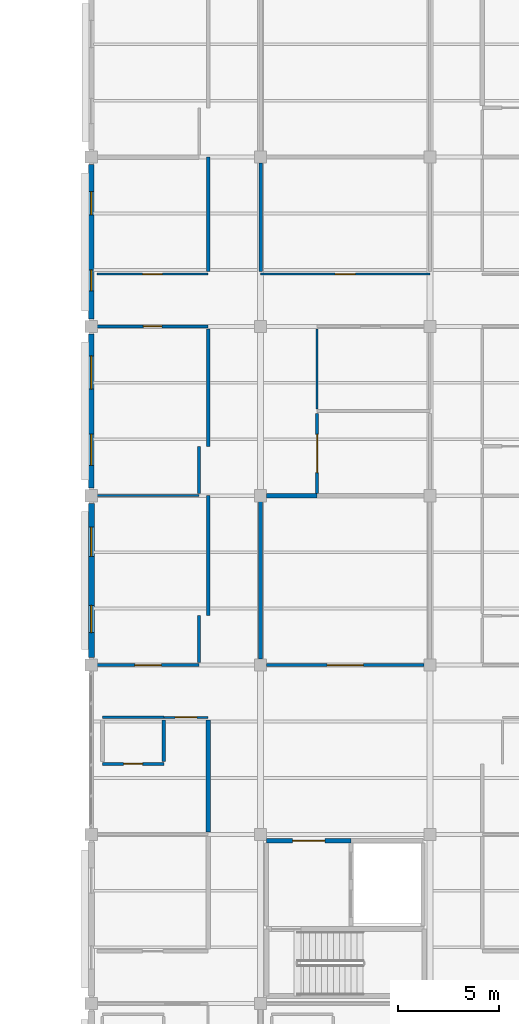
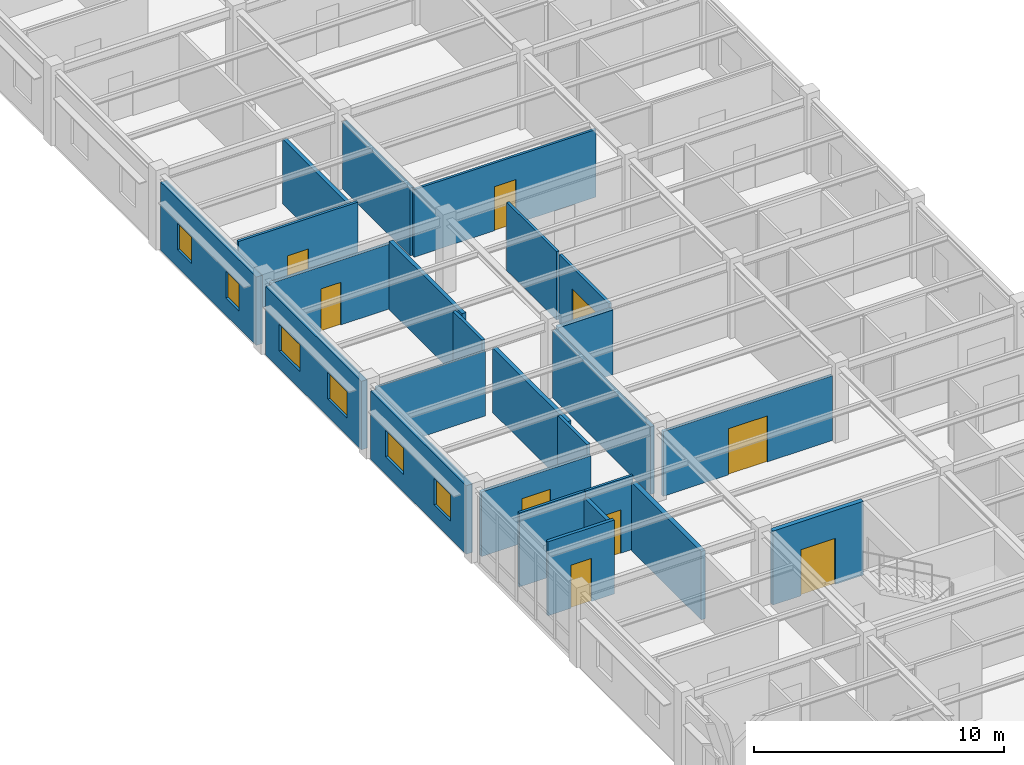
# One storey, part 44 of 70: 25 walls, 9 doors, 6 windows, 15 openings.
"""IFC4 building model written with IfcOpenShell, lengths in metres."""

from ifc_helpers import new_model, si_unit, direction, frame, frame_2d, origin, place, context, subcontext, project, spatial, rectangle, extrude, material, layer, layer_set, type_object, element, fill, save


model = new_model("IFC4")

# Units and contexts
model_context = context("Model", 3, precision=1e-05, world=origin(), true_north=direction((0.0, 1.0)))
body_context = subcontext(model_context, "Body", "Model", "MODEL_VIEW")
ifc_project = project(units=[si_unit("LENGTHUNIT", "METRE"), si_unit("AREAUNIT", "SQUARE_METRE"), si_unit("VOLUMEUNIT", "CUBIC_METRE"), si_unit("PLANEANGLEUNIT", "RADIAN"), si_unit("MASSUNIT", "GRAM", prefix="KILO")], contexts=[model_context])

# Site, building, storey
site_placement = place(None, origin())
site = spatial("IfcSite", under=ifc_project, at=site_placement, CompositionType="ELEMENT")
building_placement = place(site_placement, origin())
building = spatial("IfcBuilding", under=site, at=building_placement, Name="Bramfleet General Hospital", CompositionType="ELEMENT")
storey_placement = place(building_placement, frame((0.0, 0.0, 22.5)))
storey = spatial("IfcBuildingStorey", under=building, at=storey_placement, Name="L05", CompositionType="ELEMENT", Elevation=22.5)

# Wall, openings, windows
ifc_material_1 = material(Name="Precast concrete C40/50", Category="concrete")
ifc_layer_1 = layer(ifc_material_1, 0.294921875, Name="WT-EW-05")
ifc_layer_set_1 = layer_set([ifc_layer_1], Name="Precast concrete C40/50")
wall_type_1 = type_object("IfcWallType", Name="WT-EW-05", PredefinedType="SOLIDWALL", material=ifc_layer_set_1)
wall_1_placement = place(storey_placement, frame((92.39990234375, 25.574951171875, 0.0), z_axis=(0.0, 0.0, 1.0), x_axis=(0.0, 1.0, 0.0)))
wall_1 = element("IfcWall", 1, at=wall_1_placement, inside=storey, type_object=wall_type_1, Name="L05 Exterior Wall 381", PredefinedType="SOLIDWALL", context=body_context, shape_type="SweptSolid", body=[
    extrude(rectangle(XDim=7.650146484375, YDim=0.294921875, at=frame_2d((3.8251953125, 0.0))), origin(), (0.0, 0.0, 1.0), 3.340087890625),
])
opening_1_placement = place(wall_1_placement, frame((1.237548828125, 0.0, 0.85009765625)))
opening_1 = element("IfcOpeningElement", 2, at=opening_1_placement, cuts=wall_1, Name="Opening W-05", PredefinedType="OPENING", context=body_context, shape_type="SweptSolid", body=[
    extrude(rectangle(XDim=1.35009765625, YDim=1.300048828125, at=frame_2d((0.675048828125, 0.64990234375))), frame((0.0, 0.157470703125, 0.0), z_axis=(0.0, -1.0, 0.0), x_axis=(1.0, 0.0, 0.0)), (0.0, 0.0, 1.0), 0.31494140625),
])
opening_2_placement = place(wall_1_placement, frame((5.012451171875, 0.0, 0.85009765625)))
opening_2 = element("IfcOpeningElement", 3, at=opening_2_placement, cuts=wall_1, Name="Opening W-06", PredefinedType="OPENING", context=body_context, shape_type="SweptSolid", body=[
    extrude(rectangle(XDim=1.449951171875, YDim=1.300048828125, at=frame_2d((0.72509765625, 0.64990234375))), frame((0.0, 0.157470703125, 0.0), z_axis=(0.0, -1.0, 0.0), x_axis=(1.0, 0.0, 0.0)), (0.0, 0.0, 1.0), 0.31494140625),
])
ifc_material_2 = material(Name="Anodised aluminium and low-E triple glazing", Category="aluminium")
window_type_1 = type_object("IfcWindowType", Name="WIN-W-05", PartitioningType="SINGLE_PANEL", PredefinedType="WINDOW", material=ifc_material_2)
window_1_placement = place(opening_1_placement, origin())
window_1 = element("IfcWindow", 4, at=window_1_placement, inside=storey, type_object=window_type_1, Name="L05 Facade Window WIN-L05-381-1", OverallHeight=1.300048828125, OverallWidth=1.35009765625, PartitioningType="SINGLE_PANEL", PredefinedType="WINDOW", context=body_context, shape_type="SweptSolid", body=[
    extrude(rectangle(XDim=1.35009765625, YDim=1.300048828125, at=frame_2d((0.675048828125, 0.64990234375))), frame((0.0, 0.030029296875, 0.0), z_axis=(0.0, -1.0, 0.0), x_axis=(1.0, 0.0, 0.0)), (0.0, 0.0, 1.0), 0.06005859375),
])
fill(opening_1, window_1)
window_type_2 = type_object("IfcWindowType", Name="WIN-W-06", PartitioningType="SINGLE_PANEL", PredefinedType="WINDOW", material=ifc_material_2)
window_2_placement = place(opening_2_placement, origin())
window_2 = element("IfcWindow", 5, at=window_2_placement, inside=storey, type_object=window_type_2, Name="L05 Facade Window WIN-L05-381-2", OverallHeight=1.300048828125, OverallWidth=1.449951171875, PartitioningType="SINGLE_PANEL", PredefinedType="WINDOW", context=body_context, shape_type="SweptSolid", body=[
    extrude(rectangle(XDim=1.449951171875, YDim=1.300048828125, at=frame_2d((0.72509765625, 0.64990234375))), frame((0.0, 0.030029296875, 0.0), z_axis=(0.0, -1.0, 0.0), x_axis=(1.0, 0.0, 0.0)), (0.0, 0.0, 1.0), 0.06005859375),
])
fill(opening_2, window_2)

ifc_layer_2 = layer(ifc_material_1, 0.280029296875, Name="WT-EW-06")
ifc_layer_set_2 = layer_set([ifc_layer_2], Name="Precast concrete C40/50")
wall_type_2 = type_object("IfcWallType", Name="WT-EW-06", PredefinedType="SOLIDWALL", material=ifc_layer_set_2)
wall_2_placement = place(storey_placement, frame((92.39990234375, 42.375, 0.0), z_axis=(0.0, 0.0, 1.0), x_axis=(0.0, 1.0, 0.0)))
wall_2 = element("IfcWall", 6, at=wall_2_placement, inside=storey, type_object=wall_type_2, Name="L05 Exterior Wall 333", PredefinedType="SOLIDWALL", context=body_context, shape_type="SweptSolid", body=[
    extrude(rectangle(XDim=7.64990234375, YDim=0.280029296875, at=frame_2d((3.824951171875, 0.0))), origin(), (0.0, 0.0, 1.0), 3.340087890625),
])
opening_3_placement = place(wall_2_placement, frame((1.387451171875, 0.0, 0.85009765625)))
opening_3 = element("IfcOpeningElement", 7, at=opening_3_placement, cuts=wall_2, Name="Opening W-02", PredefinedType="OPENING", context=body_context, shape_type="SweptSolid", body=[
    extrude(rectangle(XDim=1.050048828125, YDim=1.300048828125, at=frame_2d((0.52490234375, 0.64990234375))), frame((0.0, 0.14990234375, 0.0), z_axis=(0.0, -1.0, 0.0), x_axis=(1.0, 0.0, 0.0)), (0.0, 0.0, 1.0), 0.300048828125),
])
opening_4_placement = place(wall_2_placement, frame((5.16259765625, 0.0, 0.85009765625)))
opening_4 = element("IfcOpeningElement", 8, at=opening_4_placement, cuts=wall_2, Name="Opening W-03", PredefinedType="OPENING", context=body_context, shape_type="SweptSolid", body=[
    extrude(rectangle(XDim=1.14990234375, YDim=1.300048828125, at=frame_2d((0.574951171875, 0.64990234375))), frame((0.0, 0.14990234375, 0.0), z_axis=(0.0, -1.0, 0.0), x_axis=(1.0, 0.0, 0.0)), (0.0, 0.0, 1.0), 0.300048828125),
])
window_type_3 = type_object("IfcWindowType", Name="WIN-W-02", PartitioningType="SINGLE_PANEL", PredefinedType="WINDOW", material=ifc_material_2)
window_3_placement = place(opening_3_placement, origin())
window_3 = element("IfcWindow", 9, at=window_3_placement, inside=storey, type_object=window_type_3, Name="L05 Facade Window WIN-L05-333-1", OverallHeight=1.300048828125, OverallWidth=1.050048828125, PartitioningType="SINGLE_PANEL", PredefinedType="WINDOW", context=body_context, shape_type="SweptSolid", body=[
    extrude(rectangle(XDim=1.050048828125, YDim=1.300048828125, at=frame_2d((0.52490234375, 0.64990234375))), frame((0.0, 0.030029296875, 0.0), z_axis=(0.0, -1.0, 0.0), x_axis=(1.0, 0.0, 0.0)), (0.0, 0.0, 1.0), 0.06005859375),
])
fill(opening_3, window_3)
window_type_4 = type_object("IfcWindowType", Name="WIN-W-03", PartitioningType="SINGLE_PANEL", PredefinedType="WINDOW", material=ifc_material_2)
window_4_placement = place(opening_4_placement, origin())
window_4 = element("IfcWindow", 10, at=window_4_placement, inside=storey, type_object=window_type_4, Name="L05 Facade Window WIN-L05-333-2", OverallHeight=1.300048828125, OverallWidth=1.14990234375, PartitioningType="SINGLE_PANEL", PredefinedType="WINDOW", context=body_context, shape_type="SweptSolid", body=[
    extrude(rectangle(XDim=1.14990234375, YDim=1.300048828125, at=frame_2d((0.574951171875, 0.64990234375))), frame((0.0, 0.030029296875, 0.0), z_axis=(0.0, -1.0, 0.0), x_axis=(1.0, 0.0, 0.0)), (0.0, 0.0, 1.0), 0.06005859375),
])
fill(opening_4, window_4)

wall_3_placement = place(storey_placement, frame((92.39990234375, 33.97509765625, 0.0), z_axis=(0.0, 0.0, 1.0), x_axis=(0.0, 1.0, 0.0)))
wall_3 = element("IfcWall", 11, at=wall_3_placement, inside=storey, type_object=wall_type_2, Name="L05 Exterior Wall 382", PredefinedType="SOLIDWALL", context=body_context, shape_type="SweptSolid", body=[
    extrude(rectangle(XDim=7.64990234375, YDim=0.280029296875, at=frame_2d((3.824951171875, 0.0))), origin(), (0.0, 0.0, 1.0), 3.340087890625),
])
opening_5_placement = place(wall_3_placement, frame((1.137451171875, 0.0, 0.85009765625)))
opening_5 = element("IfcOpeningElement", 12, at=opening_5_placement, cuts=wall_3, Name="Opening W-07", PredefinedType="OPENING", context=body_context, shape_type="SweptSolid", body=[
    extrude(rectangle(XDim=1.550048828125, YDim=1.300048828125, at=frame_2d((0.77490234375, 0.64990234375))), frame((0.0, 0.14990234375, 0.0), z_axis=(0.0, -1.0, 0.0), x_axis=(1.0, 0.0, 0.0)), (0.0, 0.0, 1.0), 0.300048828125),
])
opening_6_placement = place(wall_3_placement, frame((4.91259765625, 0.0, 0.85009765625)))
opening_6 = element("IfcOpeningElement", 13, at=opening_6_placement, cuts=wall_3, Name="Opening W-08", PredefinedType="OPENING", context=body_context, shape_type="SweptSolid", body=[
    extrude(rectangle(XDim=1.64990234375, YDim=1.300048828125, at=frame_2d((0.824951171875, 0.64990234375))), frame((0.0, 0.14990234375, 0.0), z_axis=(0.0, -1.0, 0.0), x_axis=(1.0, 0.0, 0.0)), (0.0, 0.0, 1.0), 0.300048828125),
])
window_type_5 = type_object("IfcWindowType", Name="WIN-W-07", PartitioningType="SINGLE_PANEL", PredefinedType="WINDOW", material=ifc_material_2)
window_5_placement = place(opening_5_placement, origin())
window_5 = element("IfcWindow", 14, at=window_5_placement, inside=storey, type_object=window_type_5, Name="L05 Facade Window WIN-L05-382-1", OverallHeight=1.300048828125, OverallWidth=1.550048828125, PartitioningType="SINGLE_PANEL", PredefinedType="WINDOW", context=body_context, shape_type="SweptSolid", body=[
    extrude(rectangle(XDim=1.550048828125, YDim=1.300048828125, at=frame_2d((0.77490234375, 0.64990234375))), frame((0.0, 0.030029296875, 0.0), z_axis=(0.0, -1.0, 0.0), x_axis=(1.0, 0.0, 0.0)), (0.0, 0.0, 1.0), 0.06005859375),
])
fill(opening_5, window_5)
window_type_6 = type_object("IfcWindowType", Name="WIN-W-08", PartitioningType="SINGLE_PANEL", PredefinedType="WINDOW", material=ifc_material_2)
window_6_placement = place(opening_6_placement, origin())
window_6 = element("IfcWindow", 15, at=window_6_placement, inside=storey, type_object=window_type_6, Name="L05 Facade Window WIN-L05-382-2", OverallHeight=1.300048828125, OverallWidth=1.64990234375, PartitioningType="SINGLE_PANEL", PredefinedType="WINDOW", context=body_context, shape_type="SweptSolid", body=[
    extrude(rectangle(XDim=1.64990234375, YDim=1.300048828125, at=frame_2d((0.824951171875, 0.64990234375))), frame((0.0, 0.030029296875, 0.0), z_axis=(0.0, -1.0, 0.0), x_axis=(1.0, 0.0, 0.0)), (0.0, 0.0, 1.0), 0.06005859375),
])
fill(opening_6, window_6)

# Wall
ifc_material_3 = material(Name="Concrete C35/45", Category="concrete")
ifc_layer_3 = layer(ifc_material_3, 0.219970703125, Name="WT-IW-01")
ifc_layer_set_3 = layer_set([ifc_layer_3], Name="Concrete C35/45")
wall_type_3 = type_object("IfcWallType", Name="WT-IW-01", PredefinedType="PARTITIONING", material=ifc_layer_set_3)
wall_4_placement = place(storey_placement, frame((101.094970703125, 33.60009765625, 0.0), z_axis=(0.0, 0.0, 1.0), x_axis=(1.0, 0.0, 0.0)))
element("IfcWall", 16, at=wall_4_placement, inside=storey, type_object=wall_type_3, Name="L05 Interior Partition IW-L05-3541", PredefinedType="PARTITIONING", context=body_context, shape_type="SweptSolid", body=[
    extrude(rectangle(XDim=2.505126953125, YDim=0.219970703125, at=frame_2d((1.25244140625, 0.0))), origin(), (0.0, 0.0, 1.0), 3.159912109375),
])

# Wall, opening, door
ifc_layer_4 = layer(ifc_material_3, 0.205078125, Name="WT-IW-02")
ifc_layer_set_4 = layer_set([ifc_layer_4], Name="Concrete C35/45")
wall_type_4 = type_object("IfcWallType", Name="WT-IW-02", PredefinedType="PARTITIONING", material=ifc_layer_set_4)
wall_5_placement = place(storey_placement, frame((101.10009765625, 16.47998046875, 0.0), z_axis=(0.0, 0.0, 1.0), x_axis=(1.0, 0.0, 0.0)))
wall_5 = element("IfcWall", 17, at=wall_5_placement, inside=storey, type_object=wall_type_4, Name="L05 C3 Lobby North Compartment Wall", PredefinedType="PARTITIONING", context=body_context, shape_type="SweptSolid", body=[
    extrude(rectangle(XDim=4.179931640625, YDim=0.205078125, at=frame_2d((2.08984375, 0.0))), origin(), (0.0, 0.0, 1.0), 3.610107421875),
])
opening_7_placement = place(wall_5_placement, frame((1.2900390625, 0.0, 0.0)))
opening_7 = element("IfcOpeningElement", 18, at=opening_7_placement, cuts=wall_5, Name="Opening D0032", PredefinedType="OPENING", context=body_context, shape_type="SweptSolid", body=[
    extrude(rectangle(XDim=1.60009765625, YDim=2.25, at=frame_2d((0.800048828125, 1.125))), frame((0.0, 0.112548828125, 0.0), z_axis=(0.0, -1.0, 0.0), x_axis=(1.0, 0.0, 0.0)), (0.0, 0.0, 1.0), 0.22509765625),
])
ifc_material_4 = material(Name="Stainless steel and acoustic timber leaf", Category="steel")
door_type_1 = type_object("IfcDoorType", Name="DR-D-04", OperationType="NOTDEFINED", PredefinedType="DOOR", material=ifc_material_4)
door_1_placement = place(opening_7_placement, origin())
door_1 = element("IfcDoor", 19, at=door_1_placement, inside=storey, type_object=door_type_1, Name="L05 C3 Lobby Fire Door D0032", OperationType="DOUBLE_SWING_LEFT", OverallHeight=2.25, OverallWidth=1.60009765625, PredefinedType="DOOR", context=body_context, shape_type="SweptSolid", body=[
    extrude(rectangle(XDim=1.60009765625, YDim=2.25, at=frame_2d((0.800048828125, 1.125))), frame((0.0, 0.02490234375, 0.0), z_axis=(0.0, -1.0, 0.0), x_axis=(1.0, 0.0, 0.0)), (0.0, 0.0, 1.0), 0.050048828125),
])
fill(opening_7, door_1)

# Walls
wall_6_placement = place(storey_placement, frame((98.199951171875, 16.9150390625, 0.0), z_axis=(0.0, 0.0, 1.0), x_axis=(0.0, 1.0, 0.0)))
element("IfcWall", 20, at=wall_6_placement, inside=storey, type_object=wall_type_4, Name="L05 Interior Partition IW-L05-3710", PredefinedType="PARTITIONING", context=body_context, shape_type="SweptSolid", body=[
    extrude(rectangle(XDim=5.570068359375, YDim=0.205078125, at=frame_2d((2.78515625, 0.0))), origin(), (0.0, 0.0, 1.0), 3.340087890625),
])
ifc_layer_5 = layer(ifc_material_3, 0.18994140625, Name="WT-IW-03")
ifc_layer_set_5 = layer_set([ifc_layer_5], Name="Concrete C35/45")
wall_type_5 = type_object("IfcWallType", Name="WT-IW-03", PredefinedType="PARTITIONING", material=ifc_layer_set_5)
wall_7_placement = place(storey_placement, frame((98.199951171875, 27.64990234375, 0.0), z_axis=(0.0, 0.0, 1.0), x_axis=(0.0, 1.0, 0.0)))
element("IfcWall", 21, at=wall_7_placement, inside=storey, type_object=wall_type_5, Name="L05 Interior Partition IW-L05-3711", PredefinedType="PARTITIONING", context=body_context, shape_type="SweptSolid", body=[
    extrude(rectangle(XDim=5.9501953125, YDim=0.18994140625, at=frame_2d((2.97509765625, 0.0))), origin(), (0.0, 0.0, 1.0), 3.159912109375),
])
wall_8_placement = place(storey_placement, frame((100.800048828125, 25.4951171875, 0.0), z_axis=(0.0, 0.0, 1.0), x_axis=(0.0, 1.0, 0.0)))
element("IfcWall", 22, at=wall_8_placement, inside=storey, type_object=wall_type_5, Name="L05 Interior Partition IW-L05-3723", PredefinedType="PARTITIONING", context=body_context, shape_type="SweptSolid", body=[
    extrude(rectangle(XDim=7.809814453125, YDim=0.18994140625, at=frame_2d((3.90478515625, 0.0))), origin(), (0.0, 0.0, 1.0), 3.300048828125),
])
ifc_layer_6 = layer(ifc_material_3, 0.179931640625, Name="WT-IW-04")
ifc_layer_set_6 = layer_set([ifc_layer_6], Name="Concrete C35/45")
wall_type_6 = type_object("IfcWallType", Name="WT-IW-04", PredefinedType="PARTITIONING", material=ifc_layer_set_6)
wall_9_placement = place(storey_placement, frame((98.199951171875, 36.050048828125, 0.0), z_axis=(0.0, 0.0, 1.0), x_axis=(0.0, 1.0, 0.0)))
element("IfcWall", 23, at=wall_9_placement, inside=storey, type_object=wall_type_6, Name="L05 Interior Partition IW-L05-3712", PredefinedType="PARTITIONING", context=body_context, shape_type="SweptSolid", body=[
    extrude(rectangle(XDim=5.8349609375, YDim=0.179931640625, at=frame_2d((2.91748046875, 0.0))), origin(), (0.0, 0.0, 1.0), 3.340087890625),
])
wall_10_placement = place(storey_placement, frame((100.800048828125, 44.715087890625, 0.0), z_axis=(0.0, 0.0, 1.0), x_axis=(0.0, 1.0, 0.0)))
element("IfcWall", 24, at=wall_10_placement, inside=storey, type_object=wall_type_6, Name="L05 Interior Partition IW-L05-3724", PredefinedType="PARTITIONING", context=body_context, shape_type="SweptSolid", body=[
    extrude(rectangle(XDim=5.389892578125, YDim=0.179931640625, at=frame_2d((2.69482421875, 0.0))), origin(), (0.0, 0.0, 1.0), 3.300048828125),
])
ifc_material_5 = material(Name="Gypsum plasterboard on acoustic steel studs", Category="steel")
ifc_layer_7 = layer(ifc_material_5, 0.169921875, Name="WT-IW-05")
ifc_layer_set_7 = layer_set([ifc_layer_7], Name="Gypsum plasterboard on acoustic steel studs")
wall_type_7 = type_object("IfcWallType", Name="WT-IW-05", PredefinedType="PARTITIONING", material=ifc_layer_set_7)
wall_11_placement = place(storey_placement, frame((96.0, 20.4150390625, 0.0), z_axis=(0.0, 0.0, 1.0), x_axis=(0.0, 1.0, 0.0)))
element("IfcWall", 25, at=wall_11_placement, inside=storey, type_object=wall_type_7, Name="L05 Interior Partition IW-L05-3701", PredefinedType="PARTITIONING", context=body_context, shape_type="SweptSolid", body=[
    extrude(rectangle(XDim=2.070068359375, YDim=0.169921875, at=frame_2d((1.03515625, 0.0))), origin(), (0.0, 0.0, 1.0), 3.340087890625),
])
wall_12_placement = place(storey_placement, frame((98.199951171875, 44.715087890625, 0.0), z_axis=(0.0, 0.0, 1.0), x_axis=(0.0, 1.0, 0.0)))
element("IfcWall", 26, at=wall_12_placement, inside=storey, type_object=wall_type_7, Name="L05 Interior Partition IW-L05-3713", PredefinedType="PARTITIONING", context=body_context, shape_type="SweptSolid", body=[
    extrude(rectangle(XDim=5.684814453125, YDim=0.169921875, at=frame_2d((2.84228515625, 0.0))), origin(), (0.0, 0.0, 1.0), 3.159912109375),
])

# Wall, opening, door
ifc_layer_8 = layer(ifc_material_5, 0.14990234375, Name="WT-IW-07")
ifc_layer_set_8 = layer_set([ifc_layer_8], Name="Gypsum plasterboard on acoustic steel studs")
wall_type_8 = type_object("IfcWallType", Name="WT-IW-07", PredefinedType="PARTITIONING", material=ifc_layer_set_8)
wall_13_placement = place(storey_placement, frame((92.949951171875, 20.300048828125, 0.0), z_axis=(0.0, 0.0, 1.0), x_axis=(1.0, 0.0, 0.0)))
wall_13 = element("IfcWall", 27, at=wall_13_placement, inside=storey, type_object=wall_type_8, Name="L05 Interior Partition IW-L05-3523", PredefinedType="PARTITIONING", context=body_context, shape_type="SweptSolid", body=[
    extrude(rectangle(XDim=3.050048828125, YDim=0.14990234375, at=frame_2d((1.52490234375, 0.0))), origin(), (0.0, 0.0, 1.0), 3.610107421875),
])
opening_8_placement = place(wall_13_placement, frame((1.050048828125, 0.0, 0.0)))
opening_8 = element("IfcOpeningElement", 28, at=opening_8_placement, cuts=wall_13, Name="Opening D1367", PredefinedType="OPENING", context=body_context, shape_type="SweptSolid", body=[
    extrude(rectangle(XDim=0.949951171875, YDim=2.10009765625, at=frame_2d((0.47509765625, 1.050048828125))), frame((0.0, 0.0849609375, 0.0), z_axis=(0.0, -1.0, 0.0), x_axis=(1.0, 0.0, 0.0)), (0.0, 0.0, 1.0), 0.169921875),
])
door_type_2 = type_object("IfcDoorType", Name="DR-D-10", OperationType="NOTDEFINED", PredefinedType="DOOR", material=ifc_material_4)
door_2_placement = place(opening_8_placement, origin())
door_2 = element("IfcDoor", 29, at=door_2_placement, inside=storey, type_object=door_type_2, Name="En-Suite Bathroom L05-1102 Door D1367", OperationType="SINGLE_SWING_LEFT", OverallHeight=2.10009765625, OverallWidth=0.949951171875, PredefinedType="DOOR", context=body_context, shape_type="SweptSolid", body=[
    extrude(rectangle(XDim=0.949951171875, YDim=2.10009765625, at=frame_2d((0.47509765625, 1.050048828125))), frame((0.0, 0.02490234375, 0.0), z_axis=(0.0, -1.0, 0.0), x_axis=(1.0, 0.0, 0.0)), (0.0, 0.0, 1.0), 0.050048828125),
])
fill(opening_8, door_2)

wall_14_placement = place(storey_placement, frame((92.695068359375, 25.199951171875, 0.0), z_axis=(0.0, 0.0, 1.0), x_axis=(1.0, 0.0, 0.0)))
wall_14 = element("IfcWall", 30, at=wall_14_placement, inside=storey, type_object=wall_type_8, Name="L05 Interior Partition IW-L05-3535", PredefinedType="PARTITIONING", context=body_context, shape_type="SweptSolid", body=[
    extrude(rectangle(XDim=5.054931640625, YDim=0.14990234375, at=frame_2d((2.52734375, 0.0))), origin(), (0.0, 0.0, 1.0), 3.159912109375),
])
opening_9_placement = place(wall_14_placement, frame((1.867431640625, 0.0, 0.0)))
opening_9 = element("IfcOpeningElement", 31, at=opening_9_placement, cuts=wall_14, Name="Opening D1368", PredefinedType="OPENING", context=body_context, shape_type="SweptSolid", body=[
    extrude(rectangle(XDim=1.320068359375, YDim=2.179931640625, at=frame_2d((0.66015625, 1.08984375))), frame((0.0, 0.0849609375, 0.0), z_axis=(0.0, -1.0, 0.0), x_axis=(1.0, 0.0, 0.0)), (0.0, 0.0, 1.0), 0.169921875),
])
door_type_3 = type_object("IfcDoorType", Name="DR-D-24", OperationType="NOTDEFINED", PredefinedType="DOOR", material=ifc_material_4)
door_3_placement = place(opening_9_placement, origin())
door_3 = element("IfcDoor", 32, at=door_3_placement, inside=storey, type_object=door_type_3, Name="Medical and Cardiology Ward Bedroom L05-1103 Door D1368", OperationType="SINGLE_SWING_LEFT", OverallHeight=2.179931640625, OverallWidth=1.320068359375, PredefinedType="DOOR", context=body_context, shape_type="SweptSolid", body=[
    extrude(rectangle(XDim=1.320068359375, YDim=2.179931640625, at=frame_2d((0.66015625, 1.08984375))), frame((0.0, 0.02490234375, 0.0), z_axis=(0.0, -1.0, 0.0), x_axis=(1.0, 0.0, 0.0)), (0.0, 0.0, 1.0), 0.050048828125),
])
fill(opening_9, door_3)

wall_15_placement = place(storey_placement, frame((92.695068359375, 42.0, 0.0), z_axis=(0.0, 0.0, 1.0), x_axis=(1.0, 0.0, 0.0)))
wall_15 = element("IfcWall", 33, at=wall_15_placement, inside=storey, type_object=wall_type_8, Name="L05 Interior Partition IW-L05-3547", PredefinedType="PARTITIONING", context=body_context, shape_type="SweptSolid", body=[
    extrude(rectangle(XDim=5.5048828125, YDim=0.14990234375, at=frame_2d((2.75244140625, 0.0))), origin(), (0.0, 0.0, 1.0), 3.159912109375),
])
opening_10_placement = place(wall_15_placement, frame((2.29248046875, 0.0, 0.0)))
opening_10 = element("IfcOpeningElement", 34, at=opening_10_placement, cuts=wall_15, Name="Opening D1369", PredefinedType="OPENING", context=body_context, shape_type="SweptSolid", body=[
    extrude(rectangle(XDim=0.919921875, YDim=2.080078125, at=frame_2d((0.4599609375, 1.0400390625))), frame((0.0, 0.0849609375, 0.0), z_axis=(0.0, -1.0, 0.0), x_axis=(1.0, 0.0, 0.0)), (0.0, 0.0, 1.0), 0.169921875),
])
door_type_4 = type_object("IfcDoorType", Name="DR-D-25", OperationType="NOTDEFINED", PredefinedType="DOOR", material=ifc_material_4)
door_4_placement = place(opening_10_placement, origin())
door_4 = element("IfcDoor", 35, at=door_4_placement, inside=storey, type_object=door_type_4, Name="Medical and Cardiology Ward Bedroom L05-1104 Door D1369", OperationType="SINGLE_SWING_RIGHT", OverallHeight=2.080078125, OverallWidth=0.919921875, PredefinedType="DOOR", context=body_context, shape_type="SweptSolid", body=[
    extrude(rectangle(XDim=0.919921875, YDim=2.080078125, at=frame_2d((0.4599609375, 1.0400390625))), frame((0.0, 0.02490234375, 0.0), z_axis=(0.0, -1.0, 0.0), x_axis=(1.0, 0.0, 0.0)), (0.0, 0.0, 1.0), 0.050048828125),
])
fill(opening_10, door_4)

# Wall
wall_16_placement = place(storey_placement, frame((97.75, 25.31494140625, 0.0), z_axis=(0.0, 0.0, 1.0), x_axis=(0.0, 1.0, 0.0)))
element("IfcWall", 36, at=wall_16_placement, inside=storey, type_object=wall_type_8, Name="L05 Interior Partition IW-L05-3703", PredefinedType="PARTITIONING", context=body_context, shape_type="SweptSolid", body=[
    extrude(rectangle(XDim=2.3349609375, YDim=0.14990234375, at=frame_2d((1.16748046875, 0.0))), origin(), (0.0, 0.0, 1.0), 3.610107421875),
])

# Wall, opening, door
ifc_layer_9 = layer(ifc_material_5, 0.139892578125, Name="WT-IW-08")
ifc_layer_set_9 = layer_set([ifc_layer_9], Name="Gypsum plasterboard on acoustic steel studs")
wall_type_9 = type_object("IfcWallType", Name="WT-IW-08", PredefinedType="PARTITIONING", material=ifc_layer_set_9)
wall_17_placement = place(storey_placement, frame((101.094970703125, 25.199951171875, 0.0), z_axis=(0.0, 0.0, 1.0), x_axis=(1.0, 0.0, 0.0)))
wall_17 = element("IfcWall", 37, at=wall_17_placement, inside=storey, type_object=wall_type_9, Name="L05 Interior Partition IW-L05-3536", PredefinedType="PARTITIONING", context=body_context, shape_type="SweptSolid", body=[
    extrude(rectangle(XDim=7.81005859375, YDim=0.139892578125, at=frame_2d((3.905029296875, 0.0))), origin(), (0.0, 0.0, 1.0), 3.159912109375),
])
opening_11_placement = place(wall_17_placement, frame((3.0048828125, 0.0, 0.0)))
opening_11 = element("IfcOpeningElement", 38, at=opening_11_placement, cuts=wall_17, Name="Opening D1381", PredefinedType="OPENING", context=body_context, shape_type="SweptSolid", body=[
    extrude(rectangle(XDim=1.800048828125, YDim=2.25, at=frame_2d((0.89990234375, 1.125))), frame((0.0, 0.079833984375, 0.0), z_axis=(0.0, -1.0, 0.0), x_axis=(1.0, 0.0, 0.0)), (0.0, 0.0, 1.0), 0.159912109375),
])
door_type_5 = type_object("IfcDoorType", Name="DR-D-05", OperationType="NOTDEFINED", PredefinedType="DOOR", material=ifc_material_4)
door_5_placement = place(opening_11_placement, origin())
door_5 = element("IfcDoor", 39, at=door_5_placement, inside=storey, type_object=door_type_5, Name="Medical and Cardiology Ward Nurse Station L05-1203 Door D1381", OperationType="DOUBLE_SWING_RIGHT", OverallHeight=2.25, OverallWidth=1.800048828125, PredefinedType="DOOR", context=body_context, shape_type="SweptSolid", body=[
    extrude(rectangle(XDim=1.800048828125, YDim=2.25, at=frame_2d((0.89990234375, 1.125))), frame((0.0, 0.02490234375, 0.0), z_axis=(0.0, -1.0, 0.0), x_axis=(1.0, 0.0, 0.0)), (0.0, 0.0, 1.0), 0.050048828125),
])
fill(opening_11, door_5)

# Wall
wall_18_placement = place(storey_placement, frame((97.75, 33.715087890625, 0.0), z_axis=(0.0, 0.0, 1.0), x_axis=(0.0, 1.0, 0.0)))
element("IfcWall", 40, at=wall_18_placement, inside=storey, type_object=wall_type_9, Name="L05 Interior Partition IW-L05-3704", PredefinedType="PARTITIONING", context=body_context, shape_type="SweptSolid", body=[
    extrude(rectangle(XDim=2.3349609375, YDim=0.139892578125, at=frame_2d((1.16748046875, 0.0))), origin(), (0.0, 0.0, 1.0), 3.610107421875),
])

# Wall, opening, door
ifc_layer_10 = layer(ifc_material_5, 0.1298828125, Name="WT-IW-09")
ifc_layer_set_10 = layer_set([ifc_layer_10], Name="Gypsum plasterboard on acoustic steel studs")
wall_type_10 = type_object("IfcWallType", Name="WT-IW-09", PredefinedType="PARTITIONING", material=ifc_layer_set_10)
wall_19_placement = place(storey_placement, frame((103.60009765625, 33.715087890625, 0.0), z_axis=(0.0, 0.0, 1.0), x_axis=(0.0, 1.0, 0.0)))
wall_19 = element("IfcWall", 41, at=wall_19_placement, inside=storey, type_object=wall_type_10, Name="L05 Interior Partition IW-L05-3729", PredefinedType="PARTITIONING", context=body_context, shape_type="SweptSolid", body=[
    extrude(rectangle(XDim=3.969970703125, YDim=0.1298828125, at=frame_2d((1.98486328125, 0.0))), origin(), (0.0, 0.0, 1.0), 3.340087890625),
])
opening_12_placement = place(wall_19_placement, frame((1.034912109375, 0.0, 0.0)))
opening_12 = element("IfcOpeningElement", 42, at=opening_12_placement, cuts=wall_19, Name="Opening D1382", PredefinedType="OPENING", context=body_context, shape_type="SweptSolid", body=[
    extrude(rectangle(XDim=1.89990234375, YDim=2.300048828125, at=frame_2d((0.949951171875, 1.14990234375))), frame((0.0, 0.074951171875, 0.0), z_axis=(0.0, -1.0, 0.0), x_axis=(1.0, 0.0, 0.0)), (0.0, 0.0, 1.0), 0.14990234375),
])
door_type_6 = type_object("IfcDoorType", Name="DR-D-06", OperationType="NOTDEFINED", PredefinedType="DOOR", material=ifc_material_4)
door_6_placement = place(opening_12_placement, origin())
door_6 = element("IfcDoor", 43, at=door_6_placement, inside=storey, type_object=door_type_6, Name="Clean Medication and Treatment Room L05-1204 Door D1382", OperationType="DOUBLE_SWING_LEFT", OverallHeight=2.300048828125, OverallWidth=1.89990234375, PredefinedType="DOOR", context=body_context, shape_type="SweptSolid", body=[
    extrude(rectangle(XDim=1.89990234375, YDim=2.300048828125, at=frame_2d((0.949951171875, 1.14990234375))), frame((0.0, 0.02490234375, 0.0), z_axis=(0.0, -1.0, 0.0), x_axis=(1.0, 0.0, 0.0)), (0.0, 0.0, 1.0), 0.050048828125),
])
fill(opening_12, door_6)

# Wall
ifc_layer_11 = layer(ifc_material_5, 0.1201171875, Name="WT-IW-10")
ifc_layer_set_11 = layer_set([ifc_layer_11], Name="Gypsum plasterboard on acoustic steel studs")
wall_type_11 = type_object("IfcWallType", Name="WT-IW-10", PredefinedType="PARTITIONING", material=ifc_layer_set_11)
wall_20_placement = place(storey_placement, frame((92.949951171875, 22.60009765625, 0.0), z_axis=(0.0, 0.0, 1.0), x_axis=(1.0, 0.0, 0.0)))
element("IfcWall", 44, at=wall_20_placement, inside=storey, type_object=wall_type_11, Name="L05 Interior Partition IW-L05-3526", PredefinedType="PARTITIONING", context=body_context, shape_type="SweptSolid", body=[
    extrude(rectangle(XDim=3.050048828125, YDim=0.1201171875, at=frame_2d((1.52490234375, 0.0))), origin(), (0.0, 0.0, 1.0), 3.610107421875),
])

# Wall, opening, door
wall_21_placement = place(storey_placement, frame((92.679931640625, 44.60009765625, 0.0), z_axis=(0.0, 0.0, 1.0), x_axis=(1.0, 0.0, 0.0)))
wall_21 = element("IfcWall", 45, at=wall_21_placement, inside=storey, type_object=wall_type_11, Name="L05 Interior Partition IW-L05-3550", PredefinedType="PARTITIONING", context=body_context, shape_type="SweptSolid", body=[
    extrude(rectangle(XDim=5.52001953125, YDim=0.1201171875, at=frame_2d((2.760009765625, 0.0))), origin(), (0.0, 0.0, 1.0), 3.610107421875),
])
opening_13_placement = place(wall_21_placement, frame((2.27001953125, 0.0, 0.0)))
opening_13 = element("IfcOpeningElement", 46, at=opening_13_placement, cuts=wall_21, Name="Opening D1370", PredefinedType="OPENING", context=body_context, shape_type="SweptSolid", body=[
    extrude(rectangle(XDim=0.97998046875, YDim=2.1201171875, at=frame_2d((0.489990234375, 1.06005859375))), frame((0.0, 0.070068359375, 0.0), z_axis=(0.0, -1.0, 0.0), x_axis=(1.0, 0.0, 0.0)), (0.0, 0.0, 1.0), 0.14013671875),
])
door_type_7 = type_object("IfcDoorType", Name="DR-D-26", OperationType="NOTDEFINED", PredefinedType="DOOR", material=ifc_material_4)
door_7_placement = place(opening_13_placement, origin())
door_7 = element("IfcDoor", 47, at=door_7_placement, inside=storey, type_object=door_type_7, Name="Medical and Cardiology Ward Bedroom L05-1105 Door D1370", OperationType="SINGLE_SWING_LEFT", OverallHeight=2.1201171875, OverallWidth=0.97998046875, PredefinedType="DOOR", context=body_context, shape_type="SweptSolid", body=[
    extrude(rectangle(XDim=0.97998046875, YDim=2.1201171875, at=frame_2d((0.489990234375, 1.06005859375))), frame((0.0, 0.02490234375, 0.0), z_axis=(0.0, -1.0, 0.0), x_axis=(1.0, 0.0, 0.0)), (0.0, 0.0, 1.0), 0.050048828125),
])
fill(opening_13, door_7)

# Wall
wall_22_placement = place(storey_placement, frame((103.60009765625, 37.9150390625, 0.0), z_axis=(0.0, 0.0, 1.0), x_axis=(0.0, 1.0, 0.0)))
element("IfcWall", 48, at=wall_22_placement, inside=storey, type_object=wall_type_11, Name="L05 Interior Partition IW-L05-3730", PredefinedType="PARTITIONING", context=body_context, shape_type="SweptSolid", body=[
    extrude(rectangle(XDim=3.969970703125, YDim=0.1201171875, at=frame_2d((1.98486328125, 0.0))), origin(), (0.0, 0.0, 1.0), 3.340087890625),
])

# Wall, opening, door
ifc_layer_12 = layer(ifc_material_5, 0.112060546875, Name="WT-IW-11")
ifc_layer_set_12 = layer_set([ifc_layer_12], Name="Gypsum plasterboard on acoustic steel studs")
wall_type_12 = type_object("IfcWallType", Name="WT-IW-11", PredefinedType="PARTITIONING", material=ifc_layer_set_12)
wall_23_placement = place(storey_placement, frame((96.0, 22.60009765625, 0.0), z_axis=(0.0, 0.0, 1.0), x_axis=(1.0, 0.0, 0.0)))
wall_23 = element("IfcWall", 49, at=wall_23_placement, inside=storey, type_object=wall_type_12, Name="L05 Interior Partition IW-L05-3527", PredefinedType="PARTITIONING", context=body_context, shape_type="SweptSolid", body=[
    extrude(rectangle(XDim=2.199951171875, YDim=0.112060546875, at=frame_2d((1.10009765625, 0.0))), origin(), (0.0, 0.0, 1.0), 3.610107421875),
])
opening_14_placement = place(wall_23_placement, frame((0.56005859375, 0.0, 0.0)))
opening_14 = element("IfcOpeningElement", 50, at=opening_14_placement, cuts=wall_23, Name="Opening D1366", PredefinedType="OPENING", context=body_context, shape_type="SweptSolid", body=[
    extrude(rectangle(XDim=1.080078125, YDim=2.1201171875, at=frame_2d((0.5400390625, 1.06005859375))), frame((0.0, 0.06591796875, 0.0), z_axis=(0.0, -1.0, 0.0), x_axis=(1.0, 0.0, 0.0)), (0.0, 0.0, 1.0), 0.132080078125),
])
door_type_8 = type_object("IfcDoorType", Name="DR-D-22", OperationType="NOTDEFINED", PredefinedType="DOOR", material=ifc_material_4)
door_8_placement = place(opening_14_placement, origin())
door_8 = element("IfcDoor", 51, at=door_8_placement, inside=storey, type_object=door_type_8, Name="Medical and Cardiology Ward Bedroom L05-1102 Door D1366", OperationType="SINGLE_SWING_LEFT", OverallHeight=2.1201171875, OverallWidth=1.080078125, PredefinedType="DOOR", context=body_context, shape_type="SweptSolid", body=[
    extrude(rectangle(XDim=1.080078125, YDim=2.1201171875, at=frame_2d((0.5400390625, 1.06005859375))), frame((0.0, 0.02490234375, 0.0), z_axis=(0.0, -1.0, 0.0), x_axis=(1.0, 0.0, 0.0)), (0.0, 0.0, 1.0), 0.050048828125),
])
fill(opening_14, door_8)

wall_24_placement = place(storey_placement, frame((100.800048828125, 44.60009765625, 0.0), z_axis=(0.0, 0.0, 1.0), x_axis=(1.0, 0.0, 0.0)))
wall_24 = element("IfcWall", 52, at=wall_24_placement, inside=storey, type_object=wall_type_12, Name="L05 Interior Partition IW-L05-3551", PredefinedType="PARTITIONING", context=body_context, shape_type="SweptSolid", body=[
    extrude(rectangle(XDim=8.39990234375, YDim=0.112060546875, at=frame_2d((4.199951171875, 0.0))), origin(), (0.0, 0.0, 1.0), 3.300048828125),
])
opening_15_placement = place(wall_24_placement, frame((3.699951171875, 0.0, 0.0)))
opening_15 = element("IfcOpeningElement", 53, at=opening_15_placement, cuts=wall_24, Name="Opening D1384", PredefinedType="OPENING", context=body_context, shape_type="SweptSolid", body=[
    extrude(rectangle(XDim=1.0, YDim=2.14990234375, at=frame_2d((0.5, 1.074951171875))), frame((0.0, 0.06591796875, 0.0), z_axis=(0.0, -1.0, 0.0), x_axis=(1.0, 0.0, 0.0)), (0.0, 0.0, 1.0), 0.132080078125),
])
door_type_9 = type_object("IfcDoorType", Name="DR-D-08", OperationType="NOTDEFINED", PredefinedType="DOOR", material=ifc_material_4)
door_9_placement = place(opening_15_placement, origin())
door_9 = element("IfcDoor", 54, at=door_9_placement, inside=storey, type_object=door_type_9, Name="Ward Linen and Clean Utility L05-1205 Door D1384", OperationType="SINGLE_SWING_LEFT", OverallHeight=2.14990234375, OverallWidth=1.0, PredefinedType="DOOR", context=body_context, shape_type="SweptSolid", body=[
    extrude(rectangle(XDim=1.0, YDim=2.14990234375, at=frame_2d((0.5, 1.074951171875))), frame((0.0, 0.02490234375, 0.0), z_axis=(0.0, -1.0, 0.0), x_axis=(1.0, 0.0, 0.0)), (0.0, 0.0, 1.0), 0.050048828125),
])
fill(opening_15, door_9)

# Wall
ifc_layer_13 = layer(ifc_material_5, 0.10009765625, Name="WT-IW-12")
ifc_layer_set_13 = layer_set([ifc_layer_13], Name="Gypsum plasterboard on acoustic steel studs")
wall_type_13 = type_object("IfcWallType", Name="WT-IW-12", PredefinedType="PARTITIONING", material=ifc_layer_set_13)
wall_25_placement = place(storey_placement, frame((92.695068359375, 33.60009765625, 0.0), z_axis=(0.0, 0.0, 1.0), x_axis=(1.0, 0.0, 0.0)))
element("IfcWall", 55, at=wall_25_placement, inside=storey, type_object=wall_type_13, Name="L05 Interior Partition IW-L05-3540", PredefinedType="PARTITIONING", context=body_context, shape_type="SweptSolid", body=[
    extrude(rectangle(XDim=5.054931640625, YDim=0.10009765625, at=frame_2d((2.52734375, 0.0))), origin(), (0.0, 0.0, 1.0), 3.159912109375),
])

save(model, "model.ifc")
